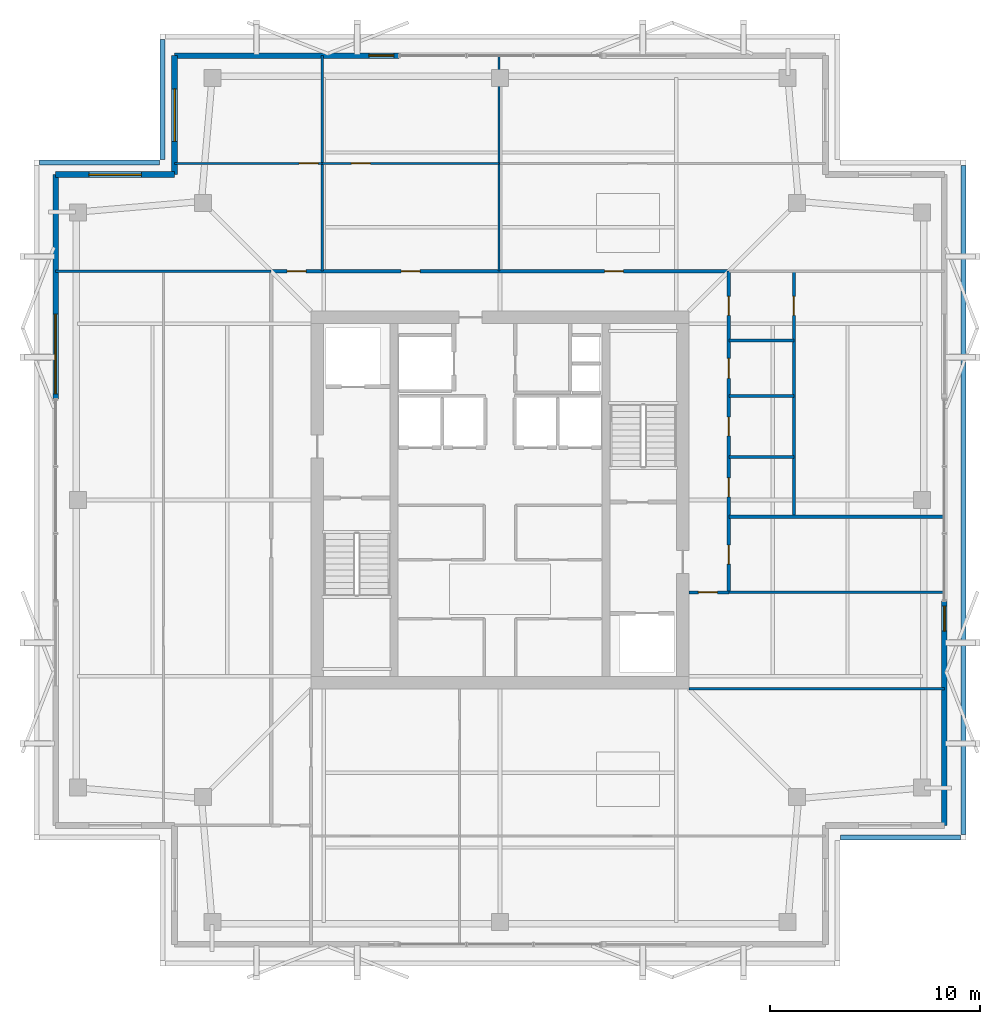
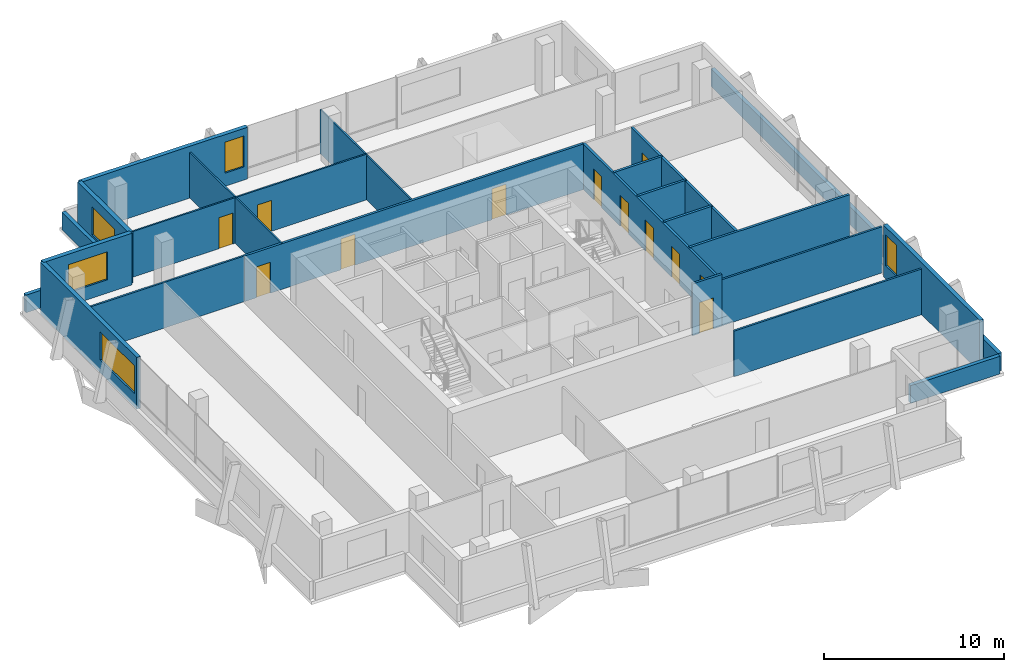
# One storey, part 16 of 18: 24 walls, 12 doors, 5 windows, 17 openings.
"""IFC4 building model written with IfcOpenShell, lengths in metres."""

from ifc_helpers import new_model, si_unit, direction, frame, frame_2d, origin, place, context, subcontext, project, spatial, rectangle, extrude, material, layer, layer_set, type_object, element, fill, save


model = new_model("IFC4")

# Units and contexts
model_context = context("Model", 3, precision=1e-05, world=origin(), true_north=direction((0.0, 1.0)))
body_context = subcontext(model_context, "Body", "Model", "MODEL_VIEW")
ifc_project = project(units=[si_unit("LENGTHUNIT", "METRE"), si_unit("AREAUNIT", "SQUARE_METRE"), si_unit("VOLUMEUNIT", "CUBIC_METRE"), si_unit("PLANEANGLEUNIT", "RADIAN"), si_unit("MASSUNIT", "GRAM", prefix="KILO")], contexts=[model_context])

# Site, building, storey
site_placement = place(None, origin())
site = spatial("IfcSite", under=ifc_project, at=site_placement, CompositionType="ELEMENT")
building_placement = place(site_placement, origin())
building = spatial("IfcBuilding", under=site, at=building_placement, Name="Belovzor Exchange Tower", CompositionType="ELEMENT")
storey_placement = place(building_placement, frame((0.0, 0.0, 344.25)))
storey = spatial("IfcBuildingStorey", under=building, at=storey_placement, Name="L86", CompositionType="ELEMENT", Elevation=344.25)

# Walls
ifc_material_1 = material(Name="Acoustic Plasterboard on Galvanised Studs", Category="gypsum")
ifc_layer_1 = layer(ifc_material_1, 0.1201171875)
ifc_layer_set_1 = layer_set([ifc_layer_1], Name="Acoustic Plasterboard on Galvanised Studs")
wall_type_1 = type_object("IfcWallType", Name="Acoustic Double-Stud Partition Wall 120", PredefinedType="PARTITIONING", material=ifc_layer_set_1)
wall_1_placement = place(storey_placement, frame((37.800048828125, 19.800048828125, 0.0), z_axis=(0.0, 0.0, 1.0), x_axis=(1.0, 0.0, 0.0)))
element("IfcWall", 1, at=wall_1_placement, inside=storey, type_object=wall_type_1, Name="W-P120 Partition Wall W-L86-ESS", PredefinedType="PARTITIONING", context=body_context, shape_type="SweptSolid", body=[
    extrude(rectangle(XDim=12.169921875, YDim=0.1201171875, at=frame_2d((6.0849609375, 0.0))), origin(), (0.0, 0.0, 1.0), 3.094970703125),
])
wall_2_placement = place(storey_placement, frame((39.699951171875, 24.39990234375, 0.0), z_axis=(0.0, 0.0, 1.0), x_axis=(1.0, 0.0, 0.0)))
element("IfcWall", 2, at=wall_2_placement, inside=storey, type_object=wall_type_1, Name="W-P120 Partition Wall W-L86-ESN", PredefinedType="PARTITIONING", context=body_context, shape_type="SweptSolid", body=[
    extrude(rectangle(XDim=10.27001953125, YDim=0.1201171875, at=frame_2d((5.135009765625, 0.0))), origin(), (0.0, 0.0, 1.0), 3.135009765625),
])
wall_3_placement = place(storey_placement, frame((7.6298828125, 39.699951171875, 0.0), z_axis=(0.0, 0.0, 1.0), x_axis=(1.0, 0.0, 0.0)))
element("IfcWall", 3, at=wall_3_placement, inside=storey, type_object=wall_type_1, Name="W-P120 Partition Wall W-L86-END-NW", PredefinedType="PARTITIONING", context=body_context, shape_type="SweptSolid", body=[
    extrude(rectangle(XDim=10.27001953125, YDim=0.1201171875, at=frame_2d((5.135009765625, 0.0))), origin(), (0.0, 0.0, 1.0), 3.094970703125),
])

# Wall, opening, door
ifc_material_2 = material(Name="Acoustic Laminated Glass and Aluminium", Category="aluminium")
ifc_layer_2 = layer(ifc_material_2, 0.10009765625)
ifc_layer_set_2 = layer_set([ifc_layer_2], Name="Acoustic Laminated Glass and Aluminium")
wall_type_2 = type_object("IfcWallType", Name="Demountable Executive Glass Partition 100", PredefinedType="MOVABLE", material=ifc_layer_set_2)
wall_4_placement = place(storey_placement, frame((13.300048828125, 44.8349609375, 0.0), z_axis=(0.0, 0.0, 1.0), x_axis=(1.0, 0.0, 0.0)))
wall_4 = element("IfcWall", 4, at=wall_4_placement, inside=storey, type_object=wall_type_2, Name="W-M100 Partition Wall W-L86-NHDIV-0", PredefinedType="MOVABLE", context=body_context, shape_type="SweptSolid", body=[
    extrude(rectangle(XDim=7.030029296875, YDim=0.10009765625, at=frame_2d((3.51513671875, 0.0))), origin(), (0.0, 0.0, 1.0), 3.094970703125),
])
opening_1_placement = place(wall_4_placement, frame((5.929931640625, 0.0, 0.0)))
opening_1 = element("IfcOpeningElement", 5, at=opening_1_placement, cuts=wall_4, Name="Opening D-INT-090", PredefinedType="OPENING", context=body_context, shape_type="SweptSolid", body=[
    extrude(rectangle(XDim=0.89990234375, YDim=2.10009765625, at=frame_2d((0.449951171875, 1.050048828125))), frame((0.0, 0.06005859375, 0.0), z_axis=(0.0, -1.0, 0.0), x_axis=(1.0, 0.0, 0.0)), (0.0, 0.0, 1.0), 0.1201171875),
])
ifc_material_3 = material(Name="Veneered Hardwood Acoustic Leaf", Category="wood")
door_type_1 = type_object("IfcDoorType", Name="Trading Suite Acoustic Single Door 900x2100", OperationType="NOTDEFINED", PredefinedType="DOOR", material=ifc_material_3)
door_1_placement = place(opening_1_placement, origin())
door_1 = element("IfcDoor", 6, at=door_1_placement, inside=storey, type_object=door_type_1, Name="D-INT-090 Trading Suite Acoustic Single Door 900x2100", OperationType="SINGLE_SWING_RIGHT", OverallHeight=2.10009765625, OverallWidth=0.89990234375, PredefinedType="DOOR", context=body_context, shape_type="SweptSolid", body=[
    extrude(rectangle(XDim=0.89990234375, YDim=2.10009765625, at=frame_2d((0.449951171875, 1.050048828125))), frame((0.0, 0.02490234375, 0.0), z_axis=(0.0, -1.0, 0.0), x_axis=(1.0, 0.0, 0.0)), (0.0, 0.0, 1.0), 0.050048828125),
])
fill(opening_1, door_1)

# Wall
wall_5_placement = place(storey_placement, frame((20.330078125, 39.699951171875, 0.0), z_axis=(0.0, 0.0, 1.0), x_axis=(0.0, 1.0, 0.0)))
element("IfcWall", 7, at=wall_5_placement, inside=storey, type_object=wall_type_2, Name="W-M100 Partition Wall W-L86-NDIV-1", PredefinedType="MOVABLE", context=body_context, shape_type="SweptSolid", body=[
    extrude(rectangle(XDim=10.27001953125, YDim=0.10009765625, at=frame_2d((5.135009765625, 0.0))), origin(), (0.0, 0.0, 1.0), 3.094970703125),
])

# Wall, opening, door
wall_6_placement = place(storey_placement, frame((20.330078125, 44.8349609375, 0.0), z_axis=(0.0, 0.0, 1.0), x_axis=(1.0, 0.0, 0.0)))
wall_6 = element("IfcWall", 8, at=wall_6_placement, inside=storey, type_object=wall_type_2, Name="W-M100 Partition Wall W-L86-NHDIV-1", PredefinedType="MOVABLE", context=body_context, shape_type="SweptSolid", body=[
    extrude(rectangle(XDim=8.430908203125, YDim=0.10009765625, at=frame_2d((4.21533203125, 0.0))), origin(), (0.0, 0.0, 1.0), 3.094970703125),
])
opening_2_placement = place(wall_6_placement, frame((1.388916015625, 0.0, 0.0)))
opening_2 = element("IfcOpeningElement", 9, at=opening_2_placement, cuts=wall_6, Name="Opening D-INT-090", PredefinedType="OPENING", context=body_context, shape_type="SweptSolid", body=[
    extrude(rectangle(XDim=0.89990234375, YDim=2.10009765625, at=frame_2d((0.449951171875, 1.050048828125))), frame((0.0, 0.06005859375, 0.0), z_axis=(0.0, -1.0, 0.0), x_axis=(1.0, 0.0, 0.0)), (0.0, 0.0, 1.0), 0.1201171875),
])
door_2_placement = place(opening_2_placement, origin())
door_2 = element("IfcDoor", 10, at=door_2_placement, inside=storey, type_object=door_type_1, Name="D-INT-090 Trading Suite Acoustic Single Door 900x2100", OperationType="SINGLE_SWING_RIGHT", OverallHeight=2.10009765625, OverallWidth=0.89990234375, PredefinedType="DOOR", context=body_context, shape_type="SweptSolid", body=[
    extrude(rectangle(XDim=0.89990234375, YDim=2.10009765625, at=frame_2d((0.449951171875, 1.050048828125))), frame((0.0, 0.02490234375, 0.0), z_axis=(0.0, -1.0, 0.0), x_axis=(1.0, 0.0, 0.0)), (0.0, 0.0, 1.0), 0.050048828125),
])
fill(opening_2, door_2)

# Wall
wall_7_placement = place(storey_placement, frame((28.760986328125, 39.699951171875, 0.0), z_axis=(0.0, 0.0, 1.0), x_axis=(0.0, 1.0, 0.0)))
element("IfcWall", 11, at=wall_7_placement, inside=storey, type_object=wall_type_2, Name="W-M100 Partition Wall W-L86-NDIV-2", PredefinedType="MOVABLE", context=body_context, shape_type="SweptSolid", body=[
    extrude(rectangle(XDim=10.27001953125, YDim=0.10009765625, at=frame_2d((5.135009765625, 0.0))), origin(), (0.0, 0.0, 1.0), 2.9951171875),
])

# Wall, opening, door
ifc_material_4 = material(Name="Fire-Rated Gypsum Block and Mineral Wool", Category="gypsum")
ifc_layer_3 = layer(ifc_material_4, 0.14990234375)
ifc_layer_set_3 = layer_set([ifc_layer_3], Name="Fire-Rated Gypsum Block and Mineral Wool")
wall_type_3 = type_object("IfcWallType", Name="Fire-Rated Gypsum Block Corridor Wall 150", PredefinedType="PARTITIONING", material=ifc_layer_set_3)
wall_8_placement = place(storey_placement, frame((37.800048828125, 24.39990234375, 0.0), z_axis=(0.0, 0.0, 1.0), x_axis=(1.0, 0.0, 0.0)))
wall_8 = element("IfcWall", 12, at=wall_8_placement, inside=storey, type_object=wall_type_3, Name="W-P150 Partition Wall W-L86-CE-END", PredefinedType="PARTITIONING", context=body_context, shape_type="SweptSolid", body=[
    extrude(rectangle(XDim=1.89990234375, YDim=0.14990234375, at=frame_2d((0.949951171875, 0.0))), origin(), (0.0, 0.0, 1.0), 3.510009765625),
])
opening_3_placement = place(wall_8_placement, frame((0.449951171875, 0.0, 0.0)))
opening_3 = element("IfcOpeningElement", 13, at=opening_3_placement, cuts=wall_8, Name="Opening D-FD60-090", PredefinedType="OPENING", context=body_context, shape_type="SweptSolid", body=[
    extrude(rectangle(XDim=0.89990234375, YDim=2.10009765625, at=frame_2d((0.449951171875, 1.050048828125))), frame((0.0, 0.0849609375, 0.0), z_axis=(0.0, -1.0, 0.0), x_axis=(1.0, 0.0, 0.0)), (0.0, 0.0, 1.0), 0.169921875),
])
ifc_material_5 = material(Name="Acoustic Timber Fire Leaf", Category="wood")
door_type_2 = type_object("IfcDoorType", Name="Core Service & Restroom Fire Door 900x2100", OperationType="NOTDEFINED", PredefinedType="DOOR", material=ifc_material_5)
door_3_placement = place(opening_3_placement, origin())
door_3 = element("IfcDoor", 14, at=door_3_placement, inside=storey, type_object=door_type_2, Name="D-FD60-090 Core Service & Restroom Fire Door 900x2100", OperationType="SINGLE_SWING_LEFT", OverallHeight=2.10009765625, OverallWidth=0.89990234375, PredefinedType="DOOR", context=body_context, shape_type="SweptSolid", body=[
    extrude(rectangle(XDim=0.89990234375, YDim=2.10009765625, at=frame_2d((0.449951171875, 1.050048828125))), frame((0.0, 0.02490234375, 0.0), z_axis=(0.0, -1.0, 0.0), x_axis=(1.0, 0.0, 0.0)), (0.0, 0.0, 1.0), 0.050048828125),
])
fill(opening_3, door_3)

wall_9_placement = place(storey_placement, frame((42.800048828125, 28.0, 0.0), z_axis=(0.0, 0.0, 1.0), x_axis=(0.0, 1.0, 0.0)))
wall_9 = element("IfcWall", 15, at=wall_9_placement, inside=storey, type_object=wall_type_3, Name="W-P150 Partition Wall W-L86-EWC-E", PredefinedType="PARTITIONING", context=body_context, shape_type="SweptSolid", body=[
    extrude(rectangle(XDim=11.699951171875, YDim=0.14990234375, at=frame_2d((5.85009765625, 0.0))), origin(), (0.0, 0.0, 1.0), 3.094970703125),
])
opening_4_placement = place(wall_9_placement, frame((9.60009765625, 0.0, 0.0)))
opening_4 = element("IfcOpeningElement", 16, at=opening_4_placement, cuts=wall_9, Name="Opening D-INT-090", PredefinedType="OPENING", context=body_context, shape_type="SweptSolid", body=[
    extrude(rectangle(XDim=0.89990234375, YDim=2.10009765625, at=frame_2d((0.449951171875, 1.050048828125))), frame((0.0, 0.0849609375, 0.0), z_axis=(0.0, -1.0, 0.0), x_axis=(1.0, 0.0, 0.0)), (0.0, 0.0, 1.0), 0.169921875),
])
door_4_placement = place(opening_4_placement, origin())
door_4 = element("IfcDoor", 17, at=door_4_placement, inside=storey, type_object=door_type_1, Name="D-INT-090 Trading Suite Acoustic Single Door 900x2100", OperationType="SINGLE_SWING_RIGHT", OverallHeight=2.10009765625, OverallWidth=0.89990234375, PredefinedType="DOOR", context=body_context, shape_type="SweptSolid", body=[
    extrude(rectangle(XDim=0.89990234375, YDim=2.10009765625, at=frame_2d((0.449951171875, 1.050048828125))), frame((0.0, 0.02490234375, 0.0), z_axis=(0.0, -1.0, 0.0), x_axis=(1.0, 0.0, 0.0)), (0.0, 0.0, 1.0), 0.050048828125),
])
fill(opening_4, door_4)

# Walls
wall_10_placement = place(storey_placement, frame((39.699951171875, 28.0, 0.0), z_axis=(0.0, 0.0, 1.0), x_axis=(1.0, 0.0, 0.0)))
element("IfcWall", 18, at=wall_10_placement, inside=storey, type_object=wall_type_3, Name="W-P150 Partition Wall W-L86-EWC-S", PredefinedType="PARTITIONING", context=body_context, shape_type="SweptSolid", body=[
    extrude(rectangle(XDim=10.27001953125, YDim=0.14990234375, at=frame_2d((5.135009765625, 0.0))), origin(), (0.0, 0.0, 1.0), 3.135009765625),
])
for number, where, z_axis, x_axis, name in (
    (19, (39.699951171875, 36.39990234375, 0.0), (0.0, 0.0, 1.0), (1.0, 0.0, 0.0), "W-P150 Partition Wall W-L86-EWC-N"),
    (20, (39.699951171875, 30.85009765625, 0.0), (0.0, 0.0, 1.0), (1.0, 0.0, 0.0), "W-P150 Partition Wall W-L86-EWC-D1"),
    (21, (39.699951171875, 33.75, 0.0), (0.0, 0.0, 1.0), (1.0, 0.0, 0.0), "W-P150 Partition Wall W-L86-EWC-D2"),
):
    element("IfcWall", number, at=place(storey_placement, frame(where, z_axis=z_axis, x_axis=x_axis)), inside=storey, type_object=wall_type_3, Name=name, PredefinedType="PARTITIONING", context=body_context, shape_type="SweptSolid", body=[
        extrude(rectangle(XDim=3.10009765625, YDim=0.14990234375, at=frame_2d((1.550048828125, 0.0))), origin(), (0.0, 0.0, 1.0), 3.135009765625),
    ])

# Wall, openings, doors
wall_11_placement = place(storey_placement, frame((17.89990234375, 39.699951171875, 0.0), z_axis=(0.0, 0.0, 1.0), x_axis=(1.0, 0.0, 0.0)))
wall_11 = element("IfcWall", 22, at=wall_11_placement, inside=storey, type_object=wall_type_3, Name="W-P150 Partition Wall W-L86-CN", PredefinedType="PARTITIONING", context=body_context, shape_type="SweptSolid", body=[
    extrude(rectangle(XDim=21.800048828125, YDim=0.14990234375, at=frame_2d((10.89990234375, 0.0))), origin(), (0.0, 0.0, 1.0), 3.094970703125),
])
opening_5_placement = place(wall_11_placement, frame((0.764892578125, 0.0, 0.0)))
opening_5 = element("IfcOpeningElement", 23, at=opening_5_placement, cuts=wall_11, Name="Opening D-INT-090", PredefinedType="OPENING", context=body_context, shape_type="SweptSolid", body=[
    extrude(rectangle(XDim=0.89990234375, YDim=2.10009765625, at=frame_2d((0.449951171875, 1.050048828125))), frame((0.0, 0.0849609375, 0.0), z_axis=(0.0, -1.0, 0.0), x_axis=(1.0, 0.0, 0.0)), (0.0, 0.0, 1.0), 0.169921875),
])
opening_6_placement = place(wall_11_placement, frame((6.195068359375, 0.0, 0.0)))
opening_6 = element("IfcOpeningElement", 24, at=opening_6_placement, cuts=wall_11, Name="Opening D-INT-090", PredefinedType="OPENING", context=body_context, shape_type="SweptSolid", body=[
    extrude(rectangle(XDim=0.89990234375, YDim=2.10009765625, at=frame_2d((0.449951171875, 1.050048828125))), frame((0.0, 0.0849609375, 0.0), z_axis=(0.0, -1.0, 0.0), x_axis=(1.0, 0.0, 0.0)), (0.0, 0.0, 1.0), 0.169921875),
])
opening_7_placement = place(wall_11_placement, frame((15.8798828125, 0.0, 0.0)))
opening_7 = element("IfcOpeningElement", 25, at=opening_7_placement, cuts=wall_11, Name="Opening D-INT-090", PredefinedType="OPENING", context=body_context, shape_type="SweptSolid", body=[
    extrude(rectangle(XDim=0.89990234375, YDim=2.10009765625, at=frame_2d((0.449951171875, 1.050048828125))), frame((0.0, 0.0849609375, 0.0), z_axis=(0.0, -1.0, 0.0), x_axis=(1.0, 0.0, 0.0)), (0.0, 0.0, 1.0), 0.169921875),
])
door_5_placement = place(opening_5_placement, origin())
door_5 = element("IfcDoor", 26, at=door_5_placement, inside=storey, type_object=door_type_1, Name="D-INT-090 Trading Suite Acoustic Single Door 900x2100", OperationType="SINGLE_SWING_LEFT", OverallHeight=2.10009765625, OverallWidth=0.89990234375, PredefinedType="DOOR", context=body_context, shape_type="SweptSolid", body=[
    extrude(rectangle(XDim=0.89990234375, YDim=2.10009765625, at=frame_2d((0.449951171875, 1.050048828125))), frame((0.0, 0.02490234375, 0.0), z_axis=(0.0, -1.0, 0.0), x_axis=(1.0, 0.0, 0.0)), (0.0, 0.0, 1.0), 0.050048828125),
])
fill(opening_5, door_5)
door_6_placement = place(opening_6_placement, origin())
door_6 = element("IfcDoor", 27, at=door_6_placement, inside=storey, type_object=door_type_1, Name="D-INT-090 Trading Suite Acoustic Single Door 900x2100", OperationType="SINGLE_SWING_RIGHT", OverallHeight=2.10009765625, OverallWidth=0.89990234375, PredefinedType="DOOR", context=body_context, shape_type="SweptSolid", body=[
    extrude(rectangle(XDim=0.89990234375, YDim=2.10009765625, at=frame_2d((0.449951171875, 1.050048828125))), frame((0.0, 0.02490234375, 0.0), z_axis=(0.0, -1.0, 0.0), x_axis=(1.0, 0.0, 0.0)), (0.0, 0.0, 1.0), 0.050048828125),
])
fill(opening_6, door_6)
door_7_placement = place(opening_7_placement, origin())
door_7 = element("IfcDoor", 28, at=door_7_placement, inside=storey, type_object=door_type_1, Name="D-INT-090 Trading Suite Acoustic Single Door 900x2100", OperationType="SINGLE_SWING_LEFT", OverallHeight=2.10009765625, OverallWidth=0.89990234375, PredefinedType="DOOR", context=body_context, shape_type="SweptSolid", body=[
    extrude(rectangle(XDim=0.89990234375, YDim=2.10009765625, at=frame_2d((0.449951171875, 1.050048828125))), frame((0.0, 0.02490234375, 0.0), z_axis=(0.0, -1.0, 0.0), x_axis=(1.0, 0.0, 0.0)), (0.0, 0.0, 1.0), 0.050048828125),
])
fill(opening_7, door_7)

wall_12_placement = place(storey_placement, frame((39.699951171875, 24.39990234375, 0.0), z_axis=(0.0, 0.0, 1.0), x_axis=(0.0, 1.0, 0.0)))
wall_12 = element("IfcWall", 29, at=wall_12_placement, inside=storey, type_object=wall_type_3, Name="W-P150 Partition Wall W-L86-CE", PredefinedType="PARTITIONING", context=body_context, shape_type="SweptSolid", body=[
    extrude(rectangle(XDim=15.300048828125, YDim=0.14990234375, at=frame_2d((7.64990234375, 0.0))), origin(), (0.0, 0.0, 1.0), 3.094970703125),
])
opening_8_placement = place(wall_12_placement, frame((1.35009765625, 0.0, 0.0)))
opening_8 = element("IfcOpeningElement", 30, at=opening_8_placement, cuts=wall_12, Name="Opening D-INT-090", PredefinedType="OPENING", context=body_context, shape_type="SweptSolid", body=[
    extrude(rectangle(XDim=0.89990234375, YDim=2.10009765625, at=frame_2d((0.449951171875, 1.050048828125))), frame((0.0, 0.0849609375, 0.0), z_axis=(0.0, -1.0, 0.0), x_axis=(1.0, 0.0, 0.0)), (0.0, 0.0, 1.0), 0.169921875),
])
opening_9_placement = place(wall_12_placement, frame((4.550048828125, 0.0, 0.0)))
opening_9 = element("IfcOpeningElement", 31, at=opening_9_placement, cuts=wall_12, Name="Opening D-FD60-090", PredefinedType="OPENING", context=body_context, shape_type="SweptSolid", body=[
    extrude(rectangle(XDim=0.89990234375, YDim=2.10009765625, at=frame_2d((0.449951171875, 1.050048828125))), frame((0.0, 0.0849609375, 0.0), z_axis=(0.0, -1.0, 0.0), x_axis=(1.0, 0.0, 0.0)), (0.0, 0.0, 1.0), 0.169921875),
])
opening_10_placement = place(wall_12_placement, frame((7.449951171875, 0.0, 0.0)))
opening_10 = element("IfcOpeningElement", 32, at=opening_10_placement, cuts=wall_12, Name="Opening D-FD60-090", PredefinedType="OPENING", context=body_context, shape_type="SweptSolid", body=[
    extrude(rectangle(XDim=0.89990234375, YDim=2.10009765625, at=frame_2d((0.449951171875, 1.050048828125))), frame((0.0, 0.0849609375, 0.0), z_axis=(0.0, -1.0, 0.0), x_axis=(1.0, 0.0, 0.0)), (0.0, 0.0, 1.0), 0.169921875),
])
opening_11_placement = place(wall_12_placement, frame((10.199951171875, 0.0, 0.0)))
opening_11 = element("IfcOpeningElement", 33, at=opening_11_placement, cuts=wall_12, Name="Opening D-FD60-095", PredefinedType="OPENING", context=body_context, shape_type="SweptSolid", body=[
    extrude(rectangle(XDim=0.949951171875, YDim=2.10009765625, at=frame_2d((0.47509765625, 1.050048828125))), frame((0.0, 0.0849609375, 0.0), z_axis=(0.0, -1.0, 0.0), x_axis=(1.0, 0.0, 0.0)), (0.0, 0.0, 1.0), 0.169921875),
])
opening_12_placement = place(wall_12_placement, frame((13.199951171875, 0.0, 0.0)))
opening_12 = element("IfcOpeningElement", 34, at=opening_12_placement, cuts=wall_12, Name="Opening D-FD60-090", PredefinedType="OPENING", context=body_context, shape_type="SweptSolid", body=[
    extrude(rectangle(XDim=0.89990234375, YDim=2.10009765625, at=frame_2d((0.449951171875, 1.050048828125))), frame((0.0, 0.0849609375, 0.0), z_axis=(0.0, -1.0, 0.0), x_axis=(1.0, 0.0, 0.0)), (0.0, 0.0, 1.0), 0.169921875),
])
ifc_material_6 = material(Name="Moisture-Resistant Timber Fire Leaf", Category="wood")
door_type_3 = type_object("IfcDoorType", Name="Accessible Restroom Wide Fire Door 950x2100", OperationType="NOTDEFINED", PredefinedType="DOOR", material=ifc_material_6)
door_8_placement = place(opening_11_placement, origin())
door_8 = element("IfcDoor", 35, at=door_8_placement, inside=storey, type_object=door_type_3, Name="D-FD60-095 Accessible Restroom Wide Fire Door 950x2100", OperationType="SINGLE_SWING_LEFT", OverallHeight=2.10009765625, OverallWidth=0.949951171875, PredefinedType="DOOR", context=body_context, shape_type="SweptSolid", body=[
    extrude(rectangle(XDim=0.949951171875, YDim=2.10009765625, at=frame_2d((0.47509765625, 1.050048828125))), frame((0.0, 0.02490234375, 0.0), z_axis=(0.0, -1.0, 0.0), x_axis=(1.0, 0.0, 0.0)), (0.0, 0.0, 1.0), 0.050048828125),
])
fill(opening_11, door_8)
door_9_placement = place(opening_9_placement, origin())
door_9 = element("IfcDoor", 36, at=door_9_placement, inside=storey, type_object=door_type_2, Name="D-FD60-090 Core Service & Restroom Fire Door 900x2100", OperationType="SINGLE_SWING_LEFT", OverallHeight=2.10009765625, OverallWidth=0.89990234375, PredefinedType="DOOR", context=body_context, shape_type="SweptSolid", body=[
    extrude(rectangle(XDim=0.89990234375, YDim=2.10009765625, at=frame_2d((0.449951171875, 1.050048828125))), frame((0.0, 0.02490234375, 0.0), z_axis=(0.0, -1.0, 0.0), x_axis=(1.0, 0.0, 0.0)), (0.0, 0.0, 1.0), 0.050048828125),
])
fill(opening_9, door_9)
door_10_placement = place(opening_10_placement, origin())
door_10 = element("IfcDoor", 37, at=door_10_placement, inside=storey, type_object=door_type_2, Name="D-FD60-090 Core Service & Restroom Fire Door 900x2100", OperationType="SINGLE_SWING_RIGHT", OverallHeight=2.10009765625, OverallWidth=0.89990234375, PredefinedType="DOOR", context=body_context, shape_type="SweptSolid", body=[
    extrude(rectangle(XDim=0.89990234375, YDim=2.10009765625, at=frame_2d((0.449951171875, 1.050048828125))), frame((0.0, 0.02490234375, 0.0), z_axis=(0.0, -1.0, 0.0), x_axis=(1.0, 0.0, 0.0)), (0.0, 0.0, 1.0), 0.050048828125),
])
fill(opening_10, door_10)
door_11_placement = place(opening_12_placement, origin())
door_11 = element("IfcDoor", 38, at=door_11_placement, inside=storey, type_object=door_type_2, Name="D-FD60-090 Core Service & Restroom Fire Door 900x2100", OperationType="SINGLE_SWING_RIGHT", OverallHeight=2.10009765625, OverallWidth=0.89990234375, PredefinedType="DOOR", context=body_context, shape_type="SweptSolid", body=[
    extrude(rectangle(XDim=0.89990234375, YDim=2.10009765625, at=frame_2d((0.449951171875, 1.050048828125))), frame((0.0, 0.02490234375, 0.0), z_axis=(0.0, -1.0, 0.0), x_axis=(1.0, 0.0, 0.0)), (0.0, 0.0, 1.0), 0.050048828125),
])
fill(opening_12, door_11)
door_12_placement = place(opening_8_placement, origin())
door_12 = element("IfcDoor", 39, at=door_12_placement, inside=storey, type_object=door_type_1, Name="D-INT-090 Trading Suite Acoustic Single Door 900x2100", OperationType="SINGLE_SWING_RIGHT", OverallHeight=2.10009765625, OverallWidth=0.89990234375, PredefinedType="DOOR", context=body_context, shape_type="SweptSolid", body=[
    extrude(rectangle(XDim=0.89990234375, YDim=2.10009765625, at=frame_2d((0.449951171875, 1.050048828125))), frame((0.0, 0.02490234375, 0.0), z_axis=(0.0, -1.0, 0.0), x_axis=(1.0, 0.0, 0.0)), (0.0, 0.0, 1.0), 0.050048828125),
])
fill(opening_8, door_12)

# Wall, opening, window
ifc_material_7 = material(Name="Precast concrete C40/50", Category="concrete")
ifc_layer_4 = layer(ifc_material_7, 0.280029296875)
ifc_layer_set_4 = layer_set([ifc_layer_4], Name="Precast concrete C40/50")
wall_type_4 = type_object("IfcWallType", Name="Precast Concrete Notched Corner Frame Wall 280", PredefinedType="SOLIDWALL", material=ifc_layer_set_4)
wall_13_placement = place(storey_placement, frame((7.6298828125, 44.300048828125, 0.0), z_axis=(0.0, 0.0, 1.0), x_axis=(1.0, 0.0, 0.0)))
wall_13 = element("IfcWall", 40, at=wall_13_placement, inside=storey, type_object=wall_type_4, Name="W-CRN280 Precast Concrete Notched Corner Frame Wall 280 L86", PredefinedType="SOLIDWALL", context=body_context, shape_type="SweptSolid", body=[
    extrude(rectangle(XDim=5.670166015625, YDim=0.280029296875, at=frame_2d((2.8349609375, 0.0))), origin(), (0.0, 0.0, 1.0), 3.510009765625),
])
opening_13_placement = place(wall_13_placement, frame((1.5849609375, 0.0, 0.89990234375)))
opening_13 = element("IfcOpeningElement", 41, at=opening_13_placement, cuts=wall_13, Name="Opening WN-CRN250", PredefinedType="OPENING", context=body_context, shape_type="SweptSolid", body=[
    extrude(rectangle(XDim=2.5, YDim=1.89990234375, at=frame_2d((1.25, 0.949951171875))), frame((0.0, 0.14990234375, 0.0), z_axis=(0.0, -1.0, 0.0), x_axis=(1.0, 0.0, 0.0)), (0.0, 0.0, 1.0), 0.300048828125),
])
ifc_material_8 = material(Name="Thermally Broken Aluminium and Triple Glazing", Category="aluminium")
window_type_1 = type_object("IfcWindowType", Name="Streamline Moderne Corner Wrap Ribbon Window 2500x1900", PartitioningType="SINGLE_PANEL", PredefinedType="WINDOW", material=ifc_material_8)
window_1_placement = place(opening_13_placement, origin())
window_1 = element("IfcWindow", 42, at=window_1_placement, inside=storey, type_object=window_type_1, Name="WN-CRN250 Streamline Moderne Corner Wrap Ribbon Window 2500x1900", OverallHeight=1.89990234375, OverallWidth=2.5, PartitioningType="SINGLE_PANEL", PredefinedType="WINDOW", context=body_context, shape_type="SweptSolid", body=[
    extrude(rectangle(XDim=2.5, YDim=1.89990234375, at=frame_2d((1.25, 0.949951171875))), frame((0.0, 0.030029296875, 0.0), z_axis=(0.0, -1.0, 0.0), x_axis=(1.0, 0.0, 0.0)), (0.0, 0.0, 1.0), 0.06005859375),
])
fill(opening_13, window_1)

wall_14_placement = place(storey_placement, frame((13.300048828125, 44.300048828125, 0.0), z_axis=(0.0, 0.0, 1.0), x_axis=(0.0, 1.0, 0.0)))
wall_14 = element("IfcWall", 43, at=wall_14_placement, inside=storey, type_object=wall_type_4, Name="W-CRN280 Precast Concrete Notched Corner Frame Wall 280 L86", PredefinedType="SOLIDWALL", context=body_context, shape_type="SweptSolid", body=[
    extrude(rectangle(XDim=5.669921875, YDim=0.280029296875, at=frame_2d((2.8349609375, 0.0))), origin(), (0.0, 0.0, 1.0), 3.510009765625),
])
opening_14_placement = place(wall_14_placement, frame((1.5849609375, 0.0, 0.89990234375)))
opening_14 = element("IfcOpeningElement", 44, at=opening_14_placement, cuts=wall_14, Name="Opening WN-CRN250", PredefinedType="OPENING", context=body_context, shape_type="SweptSolid", body=[
    extrude(rectangle(XDim=2.5, YDim=1.89990234375, at=frame_2d((1.25, 0.949951171875))), frame((0.0, 0.14990234375, 0.0), z_axis=(0.0, -1.0, 0.0), x_axis=(1.0, 0.0, 0.0)), (0.0, 0.0, 1.0), 0.300048828125),
])
window_2_placement = place(opening_14_placement, origin())
window_2 = element("IfcWindow", 45, at=window_2_placement, inside=storey, type_object=window_type_1, Name="WN-CRN250 Streamline Moderne Corner Wrap Ribbon Window 2500x1900", OverallHeight=1.89990234375, OverallWidth=2.5, PartitioningType="SINGLE_PANEL", PredefinedType="WINDOW", context=body_context, shape_type="SweptSolid", body=[
    extrude(rectangle(XDim=2.5, YDim=1.89990234375, at=frame_2d((1.25, 0.949951171875))), frame((0.0, 0.030029296875, 0.0), z_axis=(0.0, -1.0, 0.0), x_axis=(1.0, 0.0, 0.0)), (0.0, 0.0, 1.0), 0.06005859375),
])
fill(opening_14, window_2)

ifc_material_9 = material(Name="Precast concrete C40/50", Category="concrete")
ifc_layer_5 = layer(ifc_material_9, 0.260009765625)
ifc_layer_set_5 = layer_set([ifc_layer_5], Name="Precast concrete C40/50")
wall_type_5 = type_object("IfcWallType", Name="Precast Concrete Perimeter Loggia Frame Wall 260", PredefinedType="SOLIDWALL", material=ifc_layer_set_5)
wall_15_placement = place(storey_placement, frame((13.300048828125, 49.969970703125, 0.0), z_axis=(0.0, 0.0, 1.0), x_axis=(1.0, 0.0, 0.0)))
wall_15 = element("IfcWall", 46, at=wall_15_placement, inside=storey, type_object=wall_type_5, Name="W-EXT260 Precast Concrete Perimeter Loggia Frame Wall 260 L86", PredefinedType="SOLIDWALL", context=body_context, shape_type="SweptSolid", body=[
    extrude(rectangle(XDim=10.699951171875, YDim=0.260009765625, at=frame_2d((5.35009765625, 0.0))), origin(), (0.0, 0.0, 1.0), 3.510009765625),
])
opening_15_placement = place(wall_15_placement, frame((9.25, 0.0, 0.89990234375)))
opening_15 = element("IfcOpeningElement", 47, at=opening_15_placement, cuts=wall_15, Name="Opening WN-CRN120", PredefinedType="OPENING", context=body_context, shape_type="SweptSolid", body=[
    extrude(rectangle(XDim=1.199951171875, YDim=2.10009765625, at=frame_2d((0.60009765625, 1.050048828125))), frame((0.0, 0.139892578125, 0.0), z_axis=(0.0, -1.0, 0.0), x_axis=(1.0, 0.0, 0.0)), (0.0, 0.0, 1.0), 0.280029296875),
])
ifc_material_10 = material(Name="Thermally Broken Aluminium and Triple Glazing", Category="aluminium")
window_type_2 = type_object("IfcWindowType", Name="Streamline Notched Corner Window 1200x2100", PartitioningType="SINGLE_PANEL", PredefinedType="WINDOW", material=ifc_material_10)
window_3_placement = place(opening_15_placement, origin())
window_3 = element("IfcWindow", 48, at=window_3_placement, inside=storey, type_object=window_type_2, Name="WN-CRN120 Streamline Notched Corner Window 1200x2100", OverallHeight=2.10009765625, OverallWidth=1.199951171875, PartitioningType="SINGLE_PANEL", PredefinedType="WINDOW", context=body_context, shape_type="SweptSolid", body=[
    extrude(rectangle(XDim=1.199951171875, YDim=2.10009765625, at=frame_2d((0.60009765625, 1.050048828125))), frame((0.0, 0.030029296875, 0.0), z_axis=(0.0, -1.0, 0.0), x_axis=(1.0, 0.0, 0.0)), (0.0, 0.0, 1.0), 0.06005859375),
])
fill(opening_15, window_3)

wall_16_placement = place(storey_placement, frame((7.6298828125, 33.60009765625, 0.0), z_axis=(0.0, 0.0, 1.0), x_axis=(0.0, 1.0, 0.0)))
wall_16 = element("IfcWall", 49, at=wall_16_placement, inside=storey, type_object=wall_type_5, Name="W-EXT260 Precast Concrete Perimeter Loggia Frame Wall 260 L86", PredefinedType="SOLIDWALL", context=body_context, shape_type="SweptSolid", body=[
    extrude(rectangle(XDim=10.699951171875, YDim=0.260009765625, at=frame_2d((5.35009765625, 0.0))), origin(), (0.0, 0.0, 1.0), 3.510009765625),
])
opening_16_placement = place(wall_16_placement, frame((0.25, 0.0, 0.89990234375)))
opening_16 = element("IfcOpeningElement", 50, at=opening_16_placement, cuts=wall_16, Name="Opening WN-RIB380", PredefinedType="OPENING", context=body_context, shape_type="SweptSolid", body=[
    extrude(rectangle(XDim=3.800048828125, YDim=1.89990234375, at=frame_2d((1.89990234375, 0.949951171875))), frame((0.0, 0.139892578125, 0.0), z_axis=(0.0, -1.0, 0.0), x_axis=(1.0, 0.0, 0.0)), (0.0, 0.0, 1.0), 0.280029296875),
])
ifc_material_11 = material(Name="Thermally Broken Aluminium and Triple Glazing", Category="aluminium")
window_type_3 = type_object("IfcWindowType", Name="Streamline Moderne Horizontal Ribbon Window 3800x1900", PartitioningType="SINGLE_PANEL", PredefinedType="WINDOW", material=ifc_material_11)
window_4_placement = place(opening_16_placement, origin())
window_4 = element("IfcWindow", 51, at=window_4_placement, inside=storey, type_object=window_type_3, Name="WN-RIB380 Streamline Moderne Horizontal Ribbon Window 3800x1900", OverallHeight=1.89990234375, OverallWidth=3.800048828125, PartitioningType="SINGLE_PANEL", PredefinedType="WINDOW", context=body_context, shape_type="SweptSolid", body=[
    extrude(rectangle(XDim=3.800048828125, YDim=1.89990234375, at=frame_2d((1.89990234375, 0.949951171875))), frame((0.0, 0.030029296875, 0.0), z_axis=(0.0, -1.0, 0.0), x_axis=(1.0, 0.0, 0.0)), (0.0, 0.0, 1.0), 0.06005859375),
])
fill(opening_16, window_4)

wall_17_placement = place(storey_placement, frame((49.969970703125, 24.0, 0.0), z_axis=(0.0, 0.0, 1.0), x_axis=(0.0, -1.0, 0.0)))
wall_17 = element("IfcWall", 52, at=wall_17_placement, inside=storey, type_object=wall_type_5, Name="W-EXT260 Precast Concrete Perimeter Loggia Frame Wall 260 L86", PredefinedType="SOLIDWALL", context=body_context, shape_type="SweptSolid", body=[
    extrude(rectangle(XDim=10.699951171875, YDim=0.260009765625, at=frame_2d((5.35009765625, 0.0))), origin(), (0.0, 0.0, 1.0), 3.510009765625),
])
opening_17_placement = place(wall_17_placement, frame((0.25, 0.0, 0.89990234375)))
opening_17 = element("IfcOpeningElement", 53, at=opening_17_placement, cuts=wall_17, Name="Opening WN-CRN120", PredefinedType="OPENING", context=body_context, shape_type="SweptSolid", body=[
    extrude(rectangle(XDim=1.199951171875, YDim=2.10009765625, at=frame_2d((0.60009765625, 1.050048828125))), frame((0.0, 0.139892578125, 0.0), z_axis=(0.0, -1.0, 0.0), x_axis=(1.0, 0.0, 0.0)), (0.0, 0.0, 1.0), 0.280029296875),
])
window_5_placement = place(opening_17_placement, origin())
window_5 = element("IfcWindow", 54, at=window_5_placement, inside=storey, type_object=window_type_2, Name="WN-CRN120 Streamline Notched Corner Window 1200x2100", OverallHeight=2.10009765625, OverallWidth=1.199951171875, PartitioningType="SINGLE_PANEL", PredefinedType="WINDOW", context=body_context, shape_type="SweptSolid", body=[
    extrude(rectangle(XDim=1.199951171875, YDim=2.10009765625, at=frame_2d((0.60009765625, 1.050048828125))), frame((0.0, 0.030029296875, 0.0), z_axis=(0.0, -1.0, 0.0), x_axis=(1.0, 0.0, 0.0)), (0.0, 0.0, 1.0), 0.06005859375),
])
fill(opening_17, window_5)

# Walls
ifc_material_12 = material(Name="Precast concrete C40/50", Category="concrete")
ifc_layer_6 = layer(ifc_material_12, 0.239990234375)
ifc_layer_set_6 = layer_set([ifc_layer_6], Name="Precast concrete C40/50")
wall_type_6 = type_object("IfcWallType", Name="Precast Stone Setback Roof Parapet Wall 240", PredefinedType="PARAPET", material=ifc_layer_set_6)
wall_18_placement = place(storey_placement, frame((45.014892578125, 12.719970703125, 0.0), z_axis=(0.0, 0.0, 1.0), x_axis=(1.0, 0.0, 0.0)))
element("IfcWall", 55, at=wall_18_placement, inside=storey, type_object=wall_type_6, Name="W-PAR240 Precast Stone Setback Roof Parapet Wall 240 L86", PredefinedType="PARAPET", context=body_context, shape_type="SweptSolid", body=[
    extrude(rectangle(XDim=5.730224609375, YDim=0.239990234375, at=frame_2d((2.865234375, 0.0))), origin(), (0.0, 0.0, 1.0), 1.199951171875),
])
wall_19_placement = place(storey_placement, frame((50.8798828125, 12.85498046875, 0.0), z_axis=(0.0, 0.0, 1.0), x_axis=(0.0, 1.0, 0.0)))
element("IfcWall", 56, at=wall_19_placement, inside=storey, type_object=wall_type_6, Name="W-PAR240 Precast Stone Setback Roof Parapet Wall 240 L86", PredefinedType="PARAPET", context=body_context, shape_type="SweptSolid", body=[
    extrude(rectangle(XDim=31.89013671875, YDim=0.239990234375, at=frame_2d((15.945068359375, 0.0))), origin(), (0.0, 0.0, 1.0), 1.199951171875),
])
wall_20_placement = place(storey_placement, frame((12.719970703125, 50.7451171875, 0.0), z_axis=(0.0, 0.0, 1.0), x_axis=(0.0, -1.0, 0.0)))
element("IfcWall", 57, at=wall_20_placement, inside=storey, type_object=wall_type_6, Name="W-PAR240 Precast Stone Setback Roof Parapet Wall 240 L86", PredefinedType="PARAPET", context=body_context, shape_type="SweptSolid", body=[
    extrude(rectangle(XDim=5.730224609375, YDim=0.239990234375, at=frame_2d((2.865234375, 0.0))), origin(), (0.0, 0.0, 1.0), 1.199951171875),
])
wall_21_placement = place(storey_placement, frame((12.5849609375, 44.8798828125, 0.0), z_axis=(0.0, 0.0, 1.0), x_axis=(-1.0, 0.0, 0.0)))
element("IfcWall", 58, at=wall_21_placement, inside=storey, type_object=wall_type_6, Name="W-PAR240 Precast Stone Setback Roof Parapet Wall 240 L86", PredefinedType="PARAPET", context=body_context, shape_type="SweptSolid", body=[
    extrude(rectangle(XDim=5.72998046875, YDim=0.239990234375, at=frame_2d((2.864990234375, 0.0))), origin(), (0.0, 0.0, 1.0), 1.199951171875),
])

save(model, "model.ifc")
